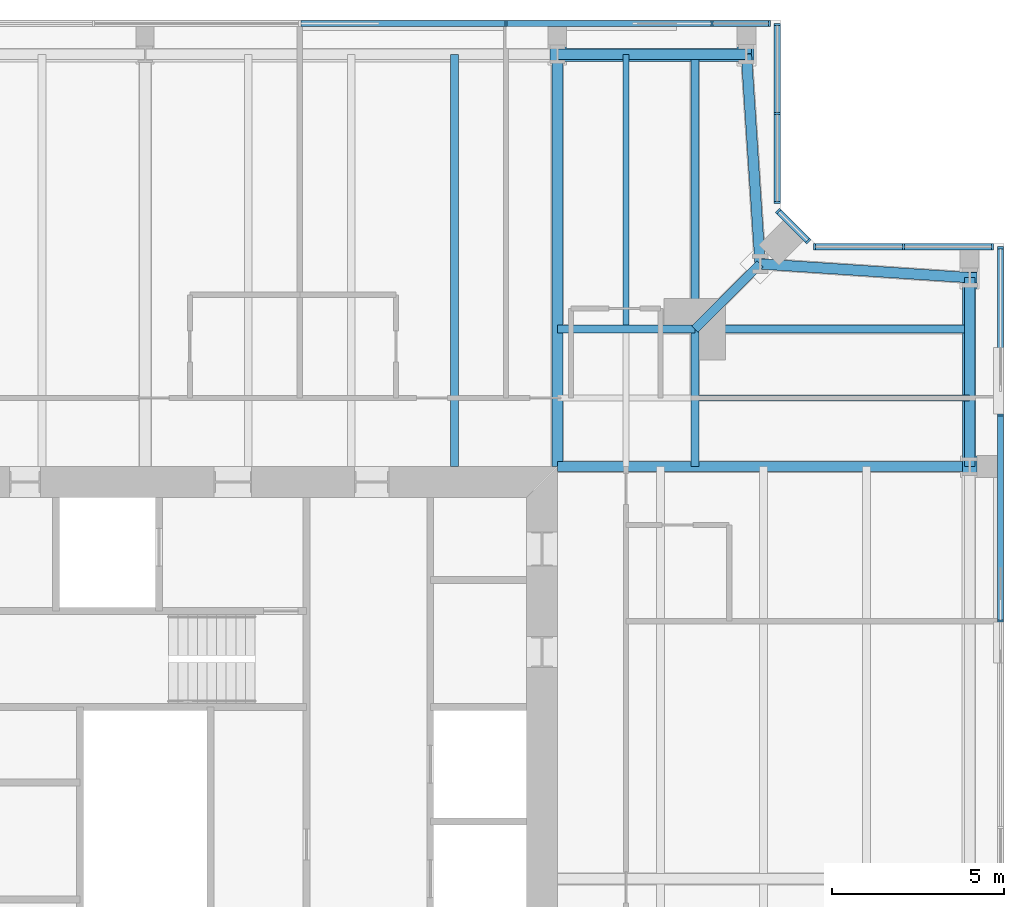
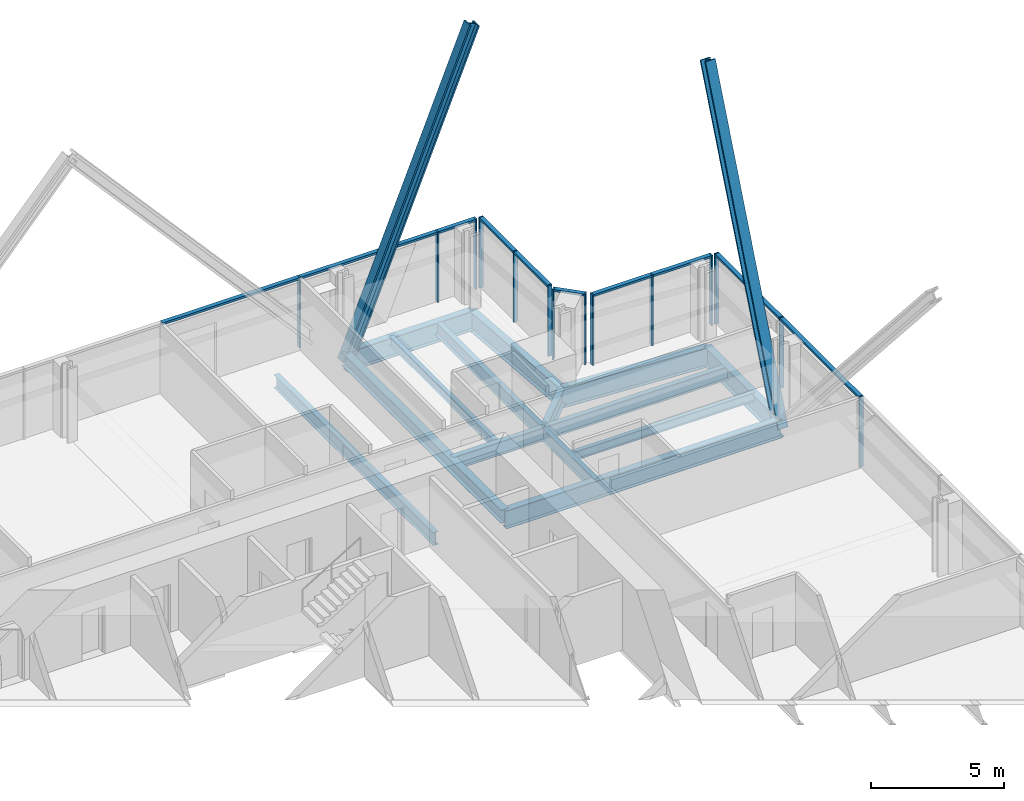
# One storey, part 9 of 18: 26 members, 14 beams, 5 elements without a shape of their own.
"""IFC4 building model written with IfcOpenShell, lengths in metres."""

from ifc_helpers import new_model, si_unit, direction, frame, origin, origin_2d, place, context, subcontext, project, spatial, rectangle, i_section, extrude, material, material_profile, profile_set, type_object, element, aggregate, save


model = new_model("IFC4")

# Units and contexts
model_context = context("Model", 3, precision=1e-05, world=origin(), true_north=direction((0.0, 1.0)))
body_context = subcontext(model_context, "Body", "Model", "MODEL_VIEW")
ifc_project = project(units=[si_unit("LENGTHUNIT", "METRE"), si_unit("AREAUNIT", "SQUARE_METRE"), si_unit("VOLUMEUNIT", "CUBIC_METRE"), si_unit("PLANEANGLEUNIT", "RADIAN"), si_unit("MASSUNIT", "GRAM", prefix="KILO")], contexts=[model_context])

# Site, building, storey
site_placement = place(None, origin())
site = spatial("IfcSite", under=ifc_project, at=site_placement, CompositionType="ELEMENT")
building_placement = place(site_placement, origin())
building = spatial("IfcBuilding", under=site, at=building_placement, Name="Fenwick Lantern Interchange", CompositionType="ELEMENT")
storey_placement = place(building_placement, frame((0.0, 0.0, 269.60009765625)))
storey = spatial("IfcBuildingStorey", under=building, at=storey_placement, Name="L64", CompositionType="ELEMENT", Elevation=269.60009765625)

# Beams
ifc_material_1 = material(Name="Steel ASTM A992 Grade 50", Category="steel")
ifc_material_profile_1 = material_profile(ifc_material_1, i_section(OverallWidth=0.3046875, OverallDepth=0.911865234375, WebThickness=0.015869140625, FlangeThickness=0.02392578125, at=origin_2d()), Name="W36X150")
ifc_profile_set_1 = profile_set([ifc_material_profile_1], Name="Steel ASTM A992 Grade 50")
beam_type_1 = type_object("IfcBeamType", Name="EDGE BEAM W36X150", PredefinedType="SPANDREL", material=ifc_profile_set_1)
beam_1_placement = place(storey_placement, frame((49.0, 37.0, -0.60595703125), z_axis=(0.0, 1.0, 0.0), x_axis=(-1.0, 0.0, 0.0)))
element("IfcBeam", 1, at=beam_1_placement, inside=storey, type_object=beam_type_1, Name="L64/FR/E/EB4", PredefinedType="SPANDREL", context=body_context, shape_type="SweptSolid", body=[
    extrude(i_section(OverallWidth=0.3046875, OverallDepth=0.911865234375, WebThickness=0.015869140625, FlangeThickness=0.02392578125, at=origin_2d()), origin(), (0.0, 0.0, 1.0), 5.5),
])
for number, where, z_axis, x_axis, name in (
    (2, (49.0, 42.5, -0.60595703125), (-0.997858060337, 0.065416293237, 0.0), (-0.065416293237, -0.997858060337, 0.0), "L64/FR/E/EBR1"),
    (3, (42.89990234375, 42.89990234375, -0.60595703125), (-0.065416293237, 0.997858060337, 0.0), (-0.997858060337, -0.065416293237, 0.0), "L64/FR/E/EBR2"),
):
    element("IfcBeam", number, at=place(storey_placement, frame(where, z_axis=z_axis, x_axis=x_axis)), inside=storey, type_object=beam_type_1, Name=name, PredefinedType="SPANDREL", context=body_context, shape_type="SweptSolid", body=[
        extrude(i_section(OverallWidth=0.3046875, OverallDepth=0.911865234375, WebThickness=0.015869140625, FlangeThickness=0.02392578125, at=origin_2d()), origin(), (0.0, 0.0, 1.0), 6.11328125),
    ])
beam_2_placement = place(storey_placement, frame((42.5, 49.0, -0.60595703125), z_axis=(-1.0, 0.0, 0.0), x_axis=(0.0, -1.0, 0.0)))
element("IfcBeam", 4, at=beam_2_placement, inside=storey, type_object=beam_type_1, Name="L64/FR/N/EB1", PredefinedType="SPANDREL", context=body_context, shape_type="SweptSolid", body=[
    extrude(i_section(OverallWidth=0.3046875, OverallDepth=0.911865234375, WebThickness=0.015869140625, FlangeThickness=0.02392578125, at=origin_2d()), origin(), (0.0, 0.0, 1.0), 5.5),
])

# Members
ifc_material_profile_2 = material_profile(ifc_material_1, i_section(OverallWidth=0.424072265625, OverallDepth=0.47509765625, WebThickness=0.0478515625, FlangeThickness=0.0771484375, at=origin_2d()), Name="W14X426")
ifc_profile_set_2 = profile_set([ifc_material_profile_2], Name="Steel ASTM A992 Grade 50")
member_type_1 = type_object("IfcMemberType", Name="FACADE BRACE W14X426", PredefinedType="BRACE", material=ifc_profile_set_2)
for number, where, z_axis, x_axis, name in (
    (5, (49.0, 37.0, -0.60595703125), (0.0, 0.37491730453, 0.92705825856), (-1.0, 0.0, 0.0), "L64/FB/E/BE"),
    (6, (37.0, 49.0, -0.60595703125), (0.37491730453, 0.0, 0.92705825856), (0.0, 1.0, 0.0), "L64/FB/N/AE"),
):
    element("IfcMember", number, at=place(storey_placement, frame(where, z_axis=z_axis, x_axis=x_axis)), inside=storey, type_object=member_type_1, Name=name, PredefinedType="BRACE", context=body_context, shape_type="SweptSolid", body=[
        extrude(i_section(OverallWidth=0.424072265625, OverallDepth=0.47509765625, WebThickness=0.0478515625, FlangeThickness=0.0771484375, at=origin_2d()), origin(), (0.0, 0.0, 1.0), 14.669921875),
    ])

# Beam
ifc_material_profile_3 = material_profile(ifc_material_1, i_section(OverallWidth=0.22900390625, OverallDepth=0.612060546875, WebThickness=0.011962890625, FlangeThickness=0.01953125, at=origin_2d()), Name="W24X84")
ifc_profile_set_3 = profile_set([ifc_material_profile_3], Name="Steel ASTM A992 Grade 50")
beam_type_2 = type_object("IfcBeamType", Name="FLOOR BEAM W24X84", PredefinedType="BEAM", material=ifc_profile_set_3)
beam_3_placement = place(storey_placement, frame((34.0, 49.0, -0.4560546875), z_axis=(0.0, -1.0, 0.0), x_axis=(1.0, 0.0, 0.0)))
element("IfcBeam", 7, at=beam_3_placement, inside=storey, type_object=beam_type_2, Name="L64/FR/N/R02", PredefinedType="BEAM", context=body_context, shape_type="SweptSolid", body=[
    extrude(i_section(OverallWidth=0.22900390625, OverallDepth=0.612060546875, WebThickness=0.011962890625, FlangeThickness=0.01953125, at=origin_2d()), origin(), (0.0, 0.0, 1.0), 12.0),
])

# Curtain wall, members
ifc_material_2 = material(Name="Aluminium curtain wall frame", Category="aluminium")
curtain_wall_type = type_object("IfcCurtainWallType", Name="HOTEL CURTAIN WALL", PredefinedType="USERDEFINED", material=ifc_material_2)
curtain_wall_1_placement = place(storey_placement, origin())
curtain_wall_1 = element("IfcCurtainWall", 8, at=curtain_wall_1_placement, inside=storey, type_object=curtain_wall_type, Name="Hotel curtain wall 05", ObjectType="HOTEL CURTAIN WALL", PredefinedType="USERDEFINED")
ifc_material_3 = material(Name="Aluminium extrusion", Category="aluminium")
ifc_material_profile_4 = material_profile(ifc_material_3, rectangle(XDim=0.179931640625, YDim=0.06005859375, at=origin_2d()), Name="HOTEL CURTAIN WALL MULLION 60 X 180")
ifc_profile_set_4 = profile_set([ifc_material_profile_4], Name="Aluminium extrusion")
member_type_2 = type_object("IfcMemberType", Name="HOTEL CURTAIN WALL MULLION 60 X 180", PredefinedType="MULLION", material=ifc_profile_set_4)
member_1_placement = place(storey_placement, frame((49.89990234375, 32.5, 0.0), z_axis=(0.0, 0.0, 1.0), x_axis=(-1.0, 0.0, 0.0)))
member_1 = element("IfcMember", 9, at=member_1_placement, type_object=member_type_2, Name="L64/CW/05/M05", PredefinedType="MULLION", context=body_context, shape_type="SweptSolid", body=[
    extrude(rectangle(XDim=0.179931640625, YDim=0.06005859375, at=origin_2d()), origin(), (0.0, 0.0, 1.0), 3.25),
])
member_2_placement = place(storey_placement, frame((49.89990234375, 38.5, 0.0), z_axis=(0.0, 0.0, 1.0), x_axis=(-1.0, 0.0, 0.0)))
member_2 = element("IfcMember", 10, at=member_2_placement, type_object=member_type_2, Name="L64/CW/05/M06", PredefinedType="MULLION", context=body_context, shape_type="SweptSolid", body=[
    extrude(rectangle(XDim=0.179931640625, YDim=0.06005859375, at=origin_2d()), origin(), (0.0, 0.0, 1.0), 3.25),
])
member_3_placement = place(storey_placement, frame((49.89990234375, 43.3701171875, 0.0), z_axis=(0.0, 0.0, 1.0), x_axis=(-1.0, 0.0, 0.0)))
member_3 = element("IfcMember", 11, at=member_3_placement, type_object=member_type_2, Name="L64/CW/05/M07", PredefinedType="MULLION", context=body_context, shape_type="SweptSolid", body=[
    extrude(rectangle(XDim=0.179931640625, YDim=0.06005859375, at=origin_2d()), origin(), (0.0, 0.0, 1.0), 3.25),
])

curtain_wall_2_placement = place(storey_placement, origin())
curtain_wall_2 = element("IfcCurtainWall", 12, at=curtain_wall_2_placement, inside=storey, type_object=curtain_wall_type, Name="Hotel curtain wall 06", ObjectType="HOTEL CURTAIN WALL", PredefinedType="USERDEFINED")
member_4_placement = place(storey_placement, frame((49.669921875, 43.39990234375, 0.0), z_axis=(0.0, 0.0, 1.0), x_axis=(0.0, -1.0, 0.0)))
member_4 = element("IfcMember", 13, at=member_4_placement, type_object=member_type_2, Name="L64/CW/06/M00", PredefinedType="MULLION", context=body_context, shape_type="SweptSolid", body=[
    extrude(rectangle(XDim=0.179931640625, YDim=0.06005859375, at=origin_2d()), origin(), (0.0, 0.0, 1.0), 3.25),
])
member_5_placement = place(storey_placement, frame((47.079345703125, 43.39990234375, 0.0), z_axis=(0.0, 0.0, 1.0), x_axis=(0.0, -1.0, 0.0)))
member_5 = element("IfcMember", 14, at=member_5_placement, type_object=member_type_2, Name="L64/CW/06/M01", PredefinedType="MULLION", context=body_context, shape_type="SweptSolid", body=[
    extrude(rectangle(XDim=0.179931640625, YDim=0.06005859375, at=origin_2d()), origin(), (0.0, 0.0, 1.0), 3.25),
])
member_6_placement = place(storey_placement, frame((44.488525390625, 43.39990234375, 0.0), z_axis=(0.0, 0.0, 1.0), x_axis=(0.0, -1.0, 0.0)))
member_6 = element("IfcMember", 15, at=member_6_placement, type_object=member_type_2, Name="L64/CW/06/M02", PredefinedType="MULLION", context=body_context, shape_type="SweptSolid", body=[
    extrude(rectangle(XDim=0.179931640625, YDim=0.06005859375, at=origin_2d()), origin(), (0.0, 0.0, 1.0), 3.25),
])

curtain_wall_3_placement = place(storey_placement, origin())
curtain_wall_3 = element("IfcCurtainWall", 16, at=curtain_wall_3_placement, inside=storey, type_object=curtain_wall_type, Name="Hotel curtain wall 07", ObjectType="HOTEL CURTAIN WALL", PredefinedType="USERDEFINED")
member_7_placement = place(storey_placement, frame((44.2958984375, 43.562744140625, 0.0), z_axis=(0.0, 0.0, 1.0), x_axis=(-0.707106781187, -0.707106781187, 0.0)))
member_7 = element("IfcMember", 17, at=member_7_placement, type_object=member_type_2, Name="L64/CW/07/M00", PredefinedType="MULLION", context=body_context, shape_type="SweptSolid", body=[
    extrude(rectangle(XDim=0.179931640625, YDim=0.06005859375, at=origin_2d()), origin(), (0.0, 0.0, 1.0), 3.25),
])
member_8_placement = place(storey_placement, frame((43.421142578125, 44.437255859375, 0.0), z_axis=(0.0, 0.0, 1.0), x_axis=(-0.707106781187, -0.707106781187, 0.0)))
member_8 = element("IfcMember", 18, at=member_8_placement, type_object=member_type_2, Name="L64/CW/07/M01", PredefinedType="MULLION", context=body_context, shape_type="SweptSolid", body=[
    extrude(rectangle(XDim=0.179931640625, YDim=0.06005859375, at=origin_2d()), origin(), (0.0, 0.0, 1.0), 3.25),
])

curtain_wall_4_placement = place(storey_placement, origin())
curtain_wall_4 = element("IfcCurtainWall", 19, at=curtain_wall_4_placement, inside=storey, type_object=curtain_wall_type, Name="Hotel curtain wall 08", ObjectType="HOTEL CURTAIN WALL", PredefinedType="USERDEFINED")
member_9_placement = place(storey_placement, frame((43.39990234375, 44.6884765625, 0.0), z_axis=(0.0, 0.0, 1.0), x_axis=(-1.0, 0.0, 0.0)))
member_9 = element("IfcMember", 20, at=member_9_placement, type_object=member_type_2, Name="L64/CW/08/M00", PredefinedType="MULLION", context=body_context, shape_type="SweptSolid", body=[
    extrude(rectangle(XDim=0.179931640625, YDim=0.06005859375, at=origin_2d()), origin(), (0.0, 0.0, 1.0), 3.25),
])
member_10_placement = place(storey_placement, frame((43.39990234375, 47.279296875, 0.0), z_axis=(0.0, 0.0, 1.0), x_axis=(-1.0, 0.0, 0.0)))
member_10 = element("IfcMember", 21, at=member_10_placement, type_object=member_type_2, Name="L64/CW/08/M01", PredefinedType="MULLION", context=body_context, shape_type="SweptSolid", body=[
    extrude(rectangle(XDim=0.179931640625, YDim=0.06005859375, at=origin_2d()), origin(), (0.0, 0.0, 1.0), 3.25),
])
member_11_placement = place(storey_placement, frame((43.39990234375, 49.8701171875, 0.0), z_axis=(0.0, 0.0, 1.0), x_axis=(-1.0, 0.0, 0.0)))
member_11 = element("IfcMember", 22, at=member_11_placement, type_object=member_type_2, Name="L64/CW/08/M02", PredefinedType="MULLION", context=body_context, shape_type="SweptSolid", body=[
    extrude(rectangle(XDim=0.179931640625, YDim=0.06005859375, at=origin_2d()), origin(), (0.0, 0.0, 1.0), 3.25),
])

curtain_wall_5_placement = place(storey_placement, origin())
curtain_wall_5 = element("IfcCurtainWall", 23, at=curtain_wall_5_placement, inside=storey, type_object=curtain_wall_type, Name="Hotel curtain wall 09", ObjectType="HOTEL CURTAIN WALL", PredefinedType="USERDEFINED")
member_12_placement = place(storey_placement, frame((43.169921875, 49.89990234375, 0.0), z_axis=(0.0, 0.0, 1.0), x_axis=(0.0, -1.0, 0.0)))
member_12 = element("IfcMember", 24, at=member_12_placement, type_object=member_type_2, Name="L64/CW/09/M00", PredefinedType="MULLION", context=body_context, shape_type="SweptSolid", body=[
    extrude(rectangle(XDim=0.179931640625, YDim=0.06005859375, at=origin_2d()), origin(), (0.0, 0.0, 1.0), 3.25),
])
member_13_placement = place(storey_placement, frame((41.5, 49.89990234375, 0.0), z_axis=(0.0, 0.0, 1.0), x_axis=(0.0, -1.0, 0.0)))
member_13 = element("IfcMember", 25, at=member_13_placement, type_object=member_type_2, Name="L64/CW/09/M01", PredefinedType="MULLION", context=body_context, shape_type="SweptSolid", body=[
    extrude(rectangle(XDim=0.179931640625, YDim=0.06005859375, at=origin_2d()), origin(), (0.0, 0.0, 1.0), 3.25),
])
member_14_placement = place(storey_placement, frame((35.5, 49.89990234375, 0.0), z_axis=(0.0, 0.0, 1.0), x_axis=(0.0, -1.0, 0.0)))
member_14 = element("IfcMember", 26, at=member_14_placement, type_object=member_type_2, Name="L64/CW/09/M02", PredefinedType="MULLION", context=body_context, shape_type="SweptSolid", body=[
    extrude(rectangle(XDim=0.179931640625, YDim=0.06005859375, at=origin_2d()), origin(), (0.0, 0.0, 1.0), 3.25),
])

# Member
ifc_material_profile_5 = material_profile(ifc_material_3, rectangle(XDim=0.179931640625, YDim=0.10009765625, at=origin_2d()), Name="HOTEL CURTAIN WALL TRANSOM 100 X 180")
ifc_profile_set_5 = profile_set([ifc_material_profile_5], Name="Aluminium extrusion")
member_type_3 = type_object("IfcMemberType", Name="HOTEL CURTAIN WALL TRANSOM 100 X 180", PredefinedType="MULLION", material=ifc_profile_set_5)
member_15_placement = place(storey_placement, frame((49.89990234375, 32.530029296875, 3.199951171875), z_axis=(0.0, 1.0, 0.0), x_axis=(-1.0, 0.0, 0.0)))
member_15 = element("IfcMember", 27, at=member_15_placement, type_object=member_type_3, Name="L64/CW/05/T05", PredefinedType="MULLION", context=body_context, shape_type="SweptSolid", body=[
    extrude(rectangle(XDim=0.179931640625, YDim=0.10009765625, at=origin_2d()), origin(), (0.0, 0.0, 1.0), 5.93994140625),
])

member_16_placement = place(storey_placement, frame((49.89990234375, 38.530029296875, 3.199951171875), z_axis=(0.0, 1.0, 0.0), x_axis=(-1.0, 0.0, 0.0)))
member_16 = element("IfcMember", 28, at=member_16_placement, type_object=member_type_3, Name="L64/CW/05/T06", PredefinedType="MULLION", context=body_context, shape_type="SweptSolid", body=[
    extrude(rectangle(XDim=0.179931640625, YDim=0.10009765625, at=origin_2d()), origin(), (0.0, 0.0, 1.0), 4.81005859375),
])

aggregate(curtain_wall_1, [member_1, member_2, member_3, member_15, member_16])

member_17_placement = place(storey_placement, frame((49.639892578125, 43.39990234375, 3.199951171875), z_axis=(-1.0, 0.0, 0.0), x_axis=(0.0, -1.0, 0.0)))
member_17 = element("IfcMember", 29, at=member_17_placement, type_object=member_type_3, Name="L64/CW/06/T00", PredefinedType="MULLION", context=body_context, shape_type="SweptSolid", body=[
    extrude(rectangle(XDim=0.179931640625, YDim=0.10009765625, at=origin_2d()), origin(), (0.0, 0.0, 1.0), 2.530517578125),
])

member_18_placement = place(storey_placement, frame((47.04931640625, 43.39990234375, 3.199951171875), z_axis=(-1.0, 0.0, 0.0), x_axis=(0.0, -1.0, 0.0)))
member_18 = element("IfcMember", 30, at=member_18_placement, type_object=member_type_3, Name="L64/CW/06/T01", PredefinedType="MULLION", context=body_context, shape_type="SweptSolid", body=[
    extrude(rectangle(XDim=0.179931640625, YDim=0.10009765625, at=origin_2d()), origin(), (0.0, 0.0, 1.0), 2.53076171875),
])

aggregate(curtain_wall_2, [member_4, member_5, member_6, member_17, member_18])

member_19_placement = place(storey_placement, frame((44.274658203125, 43.583740234375, 3.199951171875), z_axis=(-0.707003077033, 0.707210470133, 0.0), x_axis=(-0.707210470133, -0.707003077033, 0.0)))
member_19 = element("IfcMember", 31, at=member_19_placement, type_object=member_type_3, Name="L64/CW/07/T00", PredefinedType="MULLION", context=body_context, shape_type="SweptSolid", body=[
    extrude(rectangle(XDim=0.179931640625, YDim=0.10009765625, at=origin_2d()), origin(), (0.0, 0.0, 1.0), 1.17724609375),
])

aggregate(curtain_wall_3, [member_7, member_8, member_19])

member_20_placement = place(storey_placement, frame((43.39990234375, 44.718505859375, 3.199951171875), z_axis=(0.0, 1.0, 0.0), x_axis=(-1.0, 0.0, 0.0)))
member_20 = element("IfcMember", 32, at=member_20_placement, type_object=member_type_3, Name="L64/CW/08/T00", PredefinedType="MULLION", context=body_context, shape_type="SweptSolid", body=[
    extrude(rectangle(XDim=0.179931640625, YDim=0.10009765625, at=origin_2d()), origin(), (0.0, 0.0, 1.0), 2.53076171875),
])

member_21_placement = place(storey_placement, frame((43.39990234375, 47.309326171875, 3.199951171875), z_axis=(0.0, 1.0, 0.0), x_axis=(-1.0, 0.0, 0.0)))
member_21 = element("IfcMember", 33, at=member_21_placement, type_object=member_type_3, Name="L64/CW/08/T01", PredefinedType="MULLION", context=body_context, shape_type="SweptSolid", body=[
    extrude(rectangle(XDim=0.179931640625, YDim=0.10009765625, at=origin_2d()), origin(), (0.0, 0.0, 1.0), 2.53076171875),
])

aggregate(curtain_wall_4, [member_9, member_10, member_11, member_20, member_21])

member_22_placement = place(storey_placement, frame((43.139892578125, 49.89990234375, 3.199951171875), z_axis=(-1.0, 0.0, 0.0), x_axis=(0.0, -1.0, 0.0)))
member_22 = element("IfcMember", 34, at=member_22_placement, type_object=member_type_3, Name="L64/CW/09/T00", PredefinedType="MULLION", context=body_context, shape_type="SweptSolid", body=[
    extrude(rectangle(XDim=0.179931640625, YDim=0.10009765625, at=origin_2d()), origin(), (0.0, 0.0, 1.0), 1.60986328125),
])

member_23_placement = place(storey_placement, frame((41.469970703125, 49.89990234375, 3.199951171875), z_axis=(-1.0, 0.0, 0.0), x_axis=(0.0, -1.0, 0.0)))
member_23 = element("IfcMember", 35, at=member_23_placement, type_object=member_type_3, Name="L64/CW/09/T01", PredefinedType="MULLION", context=body_context, shape_type="SweptSolid", body=[
    extrude(rectangle(XDim=0.179931640625, YDim=0.10009765625, at=origin_2d()), origin(), (0.0, 0.0, 1.0), 5.93994140625),
])

member_24_placement = place(storey_placement, frame((35.469970703125, 49.89990234375, 3.199951171875), z_axis=(-1.0, 0.0, 0.0), x_axis=(0.0, -1.0, 0.0)))
member_24 = element("IfcMember", 36, at=member_24_placement, type_object=member_type_3, Name="L64/CW/09/T02", PredefinedType="MULLION", context=body_context, shape_type="SweptSolid", body=[
    extrude(rectangle(XDim=0.179931640625, YDim=0.10009765625, at=origin_2d()), origin(), (0.0, 0.0, 1.0), 5.93994140625),
])

aggregate(curtain_wall_5, [member_12, member_13, member_14, member_22, member_23, member_24])

# Beams
ifc_material_profile_6 = material_profile(ifc_material_1, i_section(OverallWidth=0.177734375, OverallDepth=0.406494140625, WebThickness=0.0078125, FlangeThickness=0.012939453125, at=origin_2d()), Name="W16X40")
ifc_profile_set_6 = profile_set([ifc_material_profile_6], Name="Steel ASTM A992 Grade 50")
beam_type_3 = type_object("IfcBeamType", Name="INFILL BEAM W16X40", PredefinedType="JOIST", material=ifc_profile_set_6)
for number, where, z_axis, x_axis, name in (
    (37, (39.0, 49.0, -0.353271484375), (0.0, -1.0, 0.0), (1.0, 0.0, 0.0), "L64/FR/N/J1"),
    (38, (49.0, 39.0, -0.353271484375), (-1.0, 0.0, 0.0), (0.0, -1.0, 0.0), "L64/FR/N/J3"),
):
    element("IfcBeam", number, at=place(storey_placement, frame(where, z_axis=z_axis, x_axis=x_axis)), inside=storey, type_object=beam_type_3, Name=name, PredefinedType="JOIST", context=body_context, shape_type="SweptSolid", body=[
        extrude(i_section(OverallWidth=0.177734375, OverallDepth=0.406494140625, WebThickness=0.0078125, FlangeThickness=0.012939453125, at=origin_2d()), origin(), (0.0, 0.0, 1.0), 7.885498046875),
    ])
ifc_material_profile_7 = material_profile(ifc_material_1, i_section(OverallWidth=0.22900390625, OverallDepth=0.612060546875, WebThickness=0.011962890625, FlangeThickness=0.01953125, at=origin_2d()), Name="W24X84")
ifc_profile_set_7 = profile_set([ifc_material_profile_7], Name="Steel ASTM A992 Grade 50")
beam_type_4 = type_object("IfcBeamType", Name="MEGA COLUMN BEAM W24X84", PredefinedType="BEAM", material=ifc_profile_set_7)
for number, where, z_axis, x_axis, name in (
    (39, (41.0, 41.0, -0.4560546875), (0.0, 1.0, 0.0), (-1.0, 0.0, 0.0), "L64/FR/N/MB1"),
    (40, (41.0, 41.0, -0.4560546875), (1.0, 0.0, 0.0), (0.0, 1.0, 0.0), "L64/FR/N/MB2"),
):
    element("IfcBeam", number, at=place(storey_placement, frame(where, z_axis=z_axis, x_axis=x_axis)), inside=storey, type_object=beam_type_4, Name=name, PredefinedType="BEAM", context=body_context, shape_type="SweptSolid", body=[
        extrude(i_section(OverallWidth=0.22900390625, OverallDepth=0.612060546875, WebThickness=0.011962890625, FlangeThickness=0.01953125, at=origin_2d()), origin(), (0.0, 0.0, 1.0), 8.0),
    ])
for number, where, z_axis, x_axis, name in (
    (41, (41.0, 41.0, -0.4560546875), (-1.0, 0.0, 0.0), (0.0, -1.0, 0.0), "L64/FR/N/MB3"),
    (42, (41.0, 41.0, -0.4560546875), (0.0, -1.0, 0.0), (1.0, 0.0, 0.0), "L64/FR/N/MB4"),
):
    element("IfcBeam", number, at=place(storey_placement, frame(where, z_axis=z_axis, x_axis=x_axis)), inside=storey, type_object=beam_type_4, Name=name, PredefinedType="BEAM", context=body_context, shape_type="SweptSolid", body=[
        extrude(i_section(OverallWidth=0.22900390625, OverallDepth=0.612060546875, WebThickness=0.011962890625, FlangeThickness=0.01953125, at=origin_2d()), origin(), (0.0, 0.0, 1.0), 4.0),
    ])
ifc_material_profile_8 = material_profile(ifc_material_1, i_section(OverallWidth=0.32763671875, OverallDepth=0.622314453125, WebThickness=0.015380859375, FlangeThickness=0.0244140625, at=origin_2d()), Name="W24X131")
ifc_profile_set_8 = profile_set([ifc_material_profile_8], Name="Steel ASTM A992 Grade 50")
beam_type_5 = type_object("IfcBeamType", Name="MOMENT-CONNECTED GIRDER W24X131", PredefinedType="BEAM", material=ifc_profile_set_8)
beam_4_placement = place(storey_placement, frame((37.0, 49.0, -0.461181640625), z_axis=(0.0, -1.0, 0.0), x_axis=(1.0, 0.0, 0.0)))
element("IfcBeam", 43, at=beam_4_placement, inside=storey, type_object=beam_type_5, Name="L64/FR/N/R01", PredefinedType="BEAM", context=body_context, shape_type="SweptSolid", body=[
    extrude(i_section(OverallWidth=0.32763671875, OverallDepth=0.622314453125, WebThickness=0.015380859375, FlangeThickness=0.0244140625, at=origin_2d()), origin(), (0.0, 0.0, 1.0), 12.0),
])
ifc_material_profile_9 = material_profile(ifc_material_1, i_section(OverallWidth=0.2919921875, OverallDepth=0.845703125, WebThickness=0.015380859375, FlangeThickness=0.0244140625, at=origin_2d()), Name="W33X141")
ifc_profile_set_9 = profile_set([ifc_material_profile_9], Name="Steel ASTM A992 Grade 50")
beam_type_6 = type_object("IfcBeamType", Name="MOMENT-CONNECTED GIRDER W33X141", PredefinedType="BEAM", material=ifc_profile_set_9)
beam_5_placement = place(storey_placement, frame((49.0, 37.0, -0.572998046875), z_axis=(-1.0, 0.0, 0.0), x_axis=(0.0, -1.0, 0.0)))
element("IfcBeam", 44, at=beam_5_placement, inside=storey, type_object=beam_type_6, Name="L64/FR/E/R03", PredefinedType="BEAM", context=body_context, shape_type="SweptSolid", body=[
    extrude(i_section(OverallWidth=0.2919921875, OverallDepth=0.845703125, WebThickness=0.015380859375, FlangeThickness=0.0244140625, at=origin_2d()), origin(), (0.0, 0.0, 1.0), 12.0),
])
ifc_material_profile_10 = material_profile(ifc_material_1, i_section(OverallWidth=0.2666015625, OverallDepth=0.7568359375, WebThickness=0.013916015625, FlangeThickness=0.019287109375, at=origin_2d()), Name="W30X108")
ifc_profile_set_10 = profile_set([ifc_material_profile_10], Name="Steel ASTM A992 Grade 50")
beam_type_7 = type_object("IfcBeamType", Name="NOTCH BEAM W30X108", PredefinedType="BEAM", material=ifc_profile_set_10)
beam_6_placement = place(storey_placement, frame((41.0, 41.0, -0.528564453125), z_axis=(0.707106781187, 0.707106781187, 0.0), x_axis=(-0.707106781187, 0.707106781187, 0.0)))
element("IfcBeam", 45, at=beam_6_placement, inside=storey, type_object=beam_type_7, Name="L64/FR/N/TG", PredefinedType="BEAM", context=body_context, shape_type="SweptSolid", body=[
    extrude(i_section(OverallWidth=0.2666015625, OverallDepth=0.7568359375, WebThickness=0.013916015625, FlangeThickness=0.019287109375, at=origin_2d()), origin(), (0.0, 0.0, 1.0), 2.686767578125),
])

save(model, "model.ifc")
